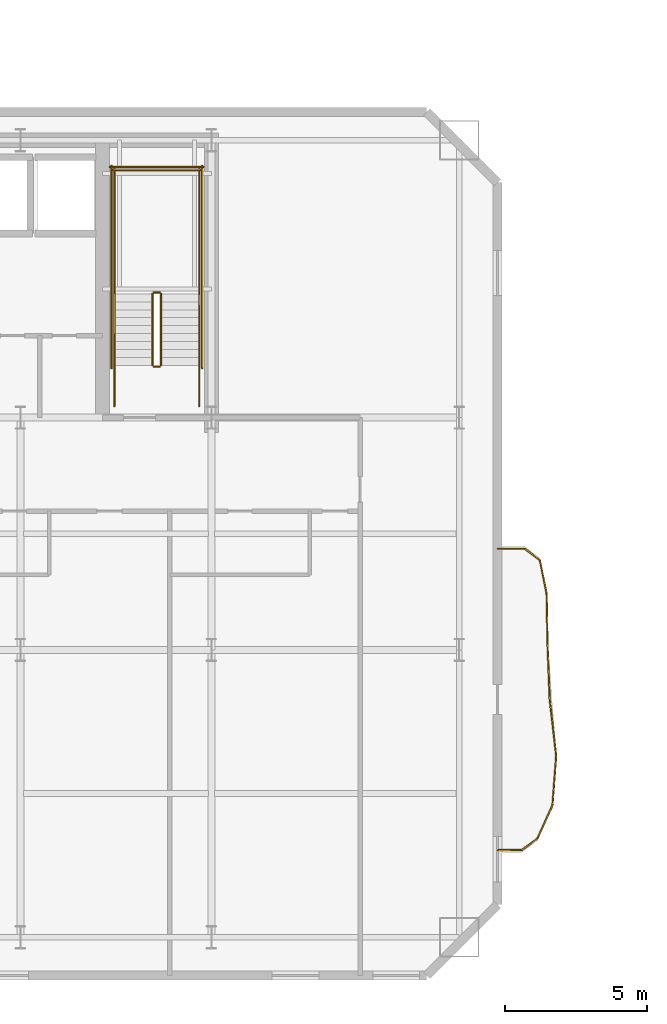
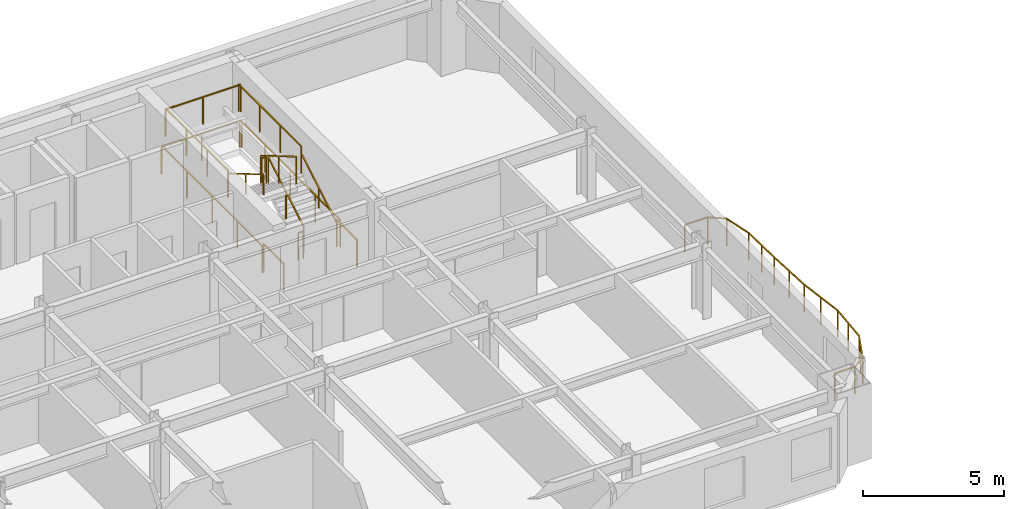
# One storey, part 11 of 13: 24 railings.
"""IFC4 building model written with IfcOpenShell, lengths in metres."""

from ifc_helpers import new_model, si_unit, direction, frame, origin, origin_2d, place, context, subcontext, project, spatial, rectangle, extrude, material, type_object, element, save


model = new_model("IFC4")

# Units and contexts
model_context = context("Model", 3, precision=1e-05, world=origin(), true_north=direction((0.0, 1.0)))
body_context = subcontext(model_context, "Body", "Model", "MODEL_VIEW")
ifc_project = project(units=[si_unit("LENGTHUNIT", "METRE"), si_unit("AREAUNIT", "SQUARE_METRE"), si_unit("VOLUMEUNIT", "CUBIC_METRE"), si_unit("PLANEANGLEUNIT", "RADIAN"), si_unit("MASSUNIT", "GRAM", prefix="KILO")], contexts=[model_context])

# Site, building, storey
site_placement = place(None, origin())
site = spatial("IfcSite", under=ifc_project, at=site_placement, CompositionType="ELEMENT")
building_placement = place(site_placement, origin())
building = spatial("IfcBuilding", under=site, at=building_placement, Name="Haevon Station Towers", CompositionType="ELEMENT")
storey_placement = place(building_placement, frame((0.0, 0.0, 96.60009765625)))
storey = spatial("IfcBuildingStorey", under=building, at=storey_placement, Name="L25", CompositionType="ELEMENT", Elevation=96.60009765625)

# Railings
ifc_material = material(Name="Steel S355", Category="steel")
railing_type_1 = type_object("IfcRailingType", Name="GRD-EXT1200", PredefinedType="GUARDRAIL", material=ifc_material)
railing_1_placement = place(storey_placement, frame((61.12353515625, 22.927734375, 0.0)))
element("IfcRailing", 1, at=railing_1_placement, inside=storey, type_object=railing_type_1, Name="L25 Perimeter Guardrail 1", PredefinedType="GUARDRAIL", context=body_context, shape_type="SweptSolid", body=[
    extrude(rectangle(XDim=0.048095703125, YDim=0.048095703125, at=origin_2d()), frame((0.0, 0.0, 1.17578125), z_axis=(0.999997283225, 0.002330995998, 0.0), x_axis=(-0.002330995998, 0.999997283225, 0.0)), (0.0, 0.0, 1.0), 0.837890625),
    extrude(rectangle(XDim=0.0419921875, YDim=0.0419921875, at=origin_2d()), origin(), (0.0, 0.0, 1.0), 1.15185546875),
    extrude(rectangle(XDim=0.0419921875, YDim=0.0419921875, at=origin_2d()), frame((0.837890625, 0.001953125, 0.0)), (0.0, 0.0, 1.0), 1.15185546875),
])
railing_2_placement = place(storey_placement, frame((61.96142578125, 22.9296875, 0.0)))
element("IfcRailing", 2, at=railing_2_placement, inside=storey, type_object=railing_type_1, Name="L25 Perimeter Guardrail 2", PredefinedType="GUARDRAIL", context=body_context, shape_type="SweptSolid", body=[
    extrude(rectangle(XDim=0.048095703125, YDim=0.048095703125, at=origin_2d()), frame((0.0, 0.0, 1.17578125), z_axis=(0.801952764523, 0.597387448374, 0.0), x_axis=(-0.597387448374, 0.801952764523, 0.0)), (0.0, 0.0, 1.0), 0.688720703125),
    extrude(rectangle(XDim=0.0419921875, YDim=0.0419921875, at=origin_2d()), origin(), (0.0, 0.0, 1.0), 1.15185546875),
    extrude(rectangle(XDim=0.0419921875, YDim=0.0419921875, at=origin_2d()), frame((0.55224609375, 0.411376953125, 0.0)), (0.0, 0.0, 1.0), 1.15185546875),
])
railing_3_placement = place(storey_placement, frame((62.513671875, 23.341064453125, 0.0)))
element("IfcRailing", 3, at=railing_3_placement, inside=storey, type_object=railing_type_1, Name="L25 Perimeter Guardrail 3", PredefinedType="GUARDRAIL", context=body_context, shape_type="SweptSolid", body=[
    extrude(rectangle(XDim=0.048095703125, YDim=0.048095703125, at=origin_2d()), frame((0.0, 0.0, 1.17578125), z_axis=(0.413759985139, 0.910386003131, 0.0), x_axis=(-0.910386003131, 0.413759985139, 0.0)), (0.0, 0.0, 1.0), 1.28466796875),
    extrude(rectangle(XDim=0.0419921875, YDim=0.0419921875, at=origin_2d()), origin(), (0.0, 0.0, 1.0), 1.15185546875),
    extrude(rectangle(XDim=0.0419921875, YDim=0.0419921875, at=origin_2d()), frame((0.265625, 0.584716796875, 0.0)), (0.0, 0.0, 1.0), 1.15185546875),
    extrude(rectangle(XDim=0.0419921875, YDim=0.0419921875, at=origin_2d()), frame((0.531494140625, 1.16943359375, 0.0)), (0.0, 0.0, 1.0), 1.15185546875),
])
railing_4_placement = place(storey_placement, frame((63.045166015625, 24.510498046875, 0.0)))
element("IfcRailing", 4, at=railing_4_placement, inside=storey, type_object=railing_type_1, Name="L25 Perimeter Guardrail 4", PredefinedType="GUARDRAIL", context=body_context, shape_type="SweptSolid", body=[
    extrude(rectangle(XDim=0.048095703125, YDim=0.048095703125, at=origin_2d()), frame((0.0, 0.0, 1.17578125), z_axis=(0.074672193364, 0.997208134513, 0.0), x_axis=(-0.997208134513, 0.074672193364, 0.0)), (0.0, 0.0, 1.0), 1.75244140625),
    extrude(rectangle(XDim=0.0419921875, YDim=0.0419921875, at=origin_2d()), origin(), (0.0, 0.0, 1.0), 1.15185546875),
    extrude(rectangle(XDim=0.0419921875, YDim=0.0419921875, at=origin_2d()), frame((0.0654296875, 0.873779296875, 0.0)), (0.0, 0.0, 1.0), 1.15185546875),
    extrude(rectangle(XDim=0.0419921875, YDim=0.0419921875, at=origin_2d()), frame((0.130859375, 1.74755859375, 0.0)), (0.0, 0.0, 1.0), 1.15185546875),
])
railing_5_placement = place(storey_placement, frame((63.176025390625, 26.258056640625, 0.0)))
element("IfcRailing", 5, at=railing_5_placement, inside=storey, type_object=railing_type_1, Name="L25 Perimeter Guardrail 5", PredefinedType="GUARDRAIL", context=body_context, shape_type="SweptSolid", body=[
    extrude(rectangle(XDim=0.048095703125, YDim=0.048095703125, at=origin_2d()), frame((0.0, 0.0, 1.17578125), z_axis=(-0.114933725314, 0.993373161901, 0.0), x_axis=(-0.993373161901, -0.114933725314, 0.0)), (0.0, 0.0, 1.0), 2.005126953125),
    extrude(rectangle(XDim=0.0419921875, YDim=0.0419921875, at=origin_2d()), origin(), (0.0, 0.0, 1.0), 1.15185546875),
    extrude(rectangle(XDim=0.0419921875, YDim=0.0419921875, at=origin_2d()), frame((-0.115234375, 0.99609375, 0.0)), (0.0, 0.0, 1.0), 1.15185546875),
    extrude(rectangle(XDim=0.0419921875, YDim=0.0419921875, at=origin_2d()), frame((-0.23046875, 1.991943359375, 0.0)), (0.0, 0.0, 1.0), 1.15185546875),
])
railing_6_placement = place(storey_placement, frame((62.945556640625, 28.25, 0.0)))
element("IfcRailing", 6, at=railing_6_placement, inside=storey, type_object=railing_type_1, Name="L25 Perimeter Guardrail 6", PredefinedType="GUARDRAIL", context=body_context, shape_type="SweptSolid", body=[
    extrude(rectangle(XDim=0.048095703125, YDim=0.048095703125, at=origin_2d()), frame((0.0, 0.0, 1.17578125), z_axis=(-0.038150453475, 0.999272006463, 0.0), x_axis=(-0.999272006463, -0.038150453475, 0.0)), (0.0, 0.0, 1.0), 1.990234375),
    extrude(rectangle(XDim=0.0419921875, YDim=0.0419921875, at=origin_2d()), origin(), (0.0, 0.0, 1.0), 1.15185546875),
    extrude(rectangle(XDim=0.0419921875, YDim=0.0419921875, at=origin_2d()), frame((-0.0380859375, 0.994384765625, 0.0)), (0.0, 0.0, 1.0), 1.15185546875),
    extrude(rectangle(XDim=0.0419921875, YDim=0.0419921875, at=origin_2d()), frame((-0.075927734375, 1.98876953125, 0.0)), (0.0, 0.0, 1.0), 1.15185546875),
])
railing_7_placement = place(storey_placement, frame((62.86962890625, 30.23876953125, 0.0)))
element("IfcRailing", 7, at=railing_7_placement, inside=storey, type_object=railing_type_1, Name="L25 Perimeter Guardrail 7", PredefinedType="GUARDRAIL", context=body_context, shape_type="SweptSolid", body=[
    extrude(rectangle(XDim=0.048095703125, YDim=0.048095703125, at=origin_2d()), frame((0.0, 0.0, 1.17578125), z_axis=(-0.017572959065, 0.999845583633, 0.0), x_axis=(-0.999845583633, -0.017572959065, 0.0)), (0.0, 0.0, 1.0), 1.75048828125),
    extrude(rectangle(XDim=0.0419921875, YDim=0.0419921875, at=origin_2d()), origin(), (0.0, 0.0, 1.0), 1.15185546875),
    extrude(rectangle(XDim=0.0419921875, YDim=0.0419921875, at=origin_2d()), frame((-0.015380859375, 0.875, 0.0)), (0.0, 0.0, 1.0), 1.15185546875),
    extrude(rectangle(XDim=0.0419921875, YDim=0.0419921875, at=origin_2d()), frame((-0.03076171875, 1.750244140625, 0.0)), (0.0, 0.0, 1.0), 1.15185546875),
])
railing_8_placement = place(storey_placement, frame((62.8388671875, 31.989013671875, 0.0)))
element("IfcRailing", 8, at=railing_8_placement, inside=storey, type_object=railing_type_1, Name="L25 Perimeter Guardrail 8", PredefinedType="GUARDRAIL", context=body_context, shape_type="SweptSolid", body=[
    extrude(rectangle(XDim=0.048095703125, YDim=0.048095703125, at=origin_2d()), frame((0.0, 0.0, 1.17578125), z_axis=(-0.199771721582, 0.979842466551, 0.0), x_axis=(-0.979842466551, -0.199771721582, 0.0)), (0.0, 0.0, 1.0), 1.194091796875),
    extrude(rectangle(XDim=0.0419921875, YDim=0.0419921875, at=origin_2d()), origin(), (0.0, 0.0, 1.0), 1.15185546875),
    extrude(rectangle(XDim=0.0419921875, YDim=0.0419921875, at=origin_2d()), frame((-0.238525390625, 1.169921875, 0.0)), (0.0, 0.0, 1.0), 1.15185546875),
])
railing_9_placement = place(storey_placement, frame((62.600341796875, 33.158935546875, 0.0)))
element("IfcRailing", 9, at=railing_9_placement, inside=storey, type_object=railing_type_1, Name="L25 Perimeter Guardrail 9", PredefinedType="GUARDRAIL", context=body_context, shape_type="SweptSolid", body=[
    extrude(rectangle(XDim=0.048095703125, YDim=0.048095703125, at=origin_2d()), frame((0.0, 0.0, 1.17578125), z_axis=(-0.79178726734, 0.61079695749, 0.0), x_axis=(-0.61079695749, -0.79178726734, 0.0)), (0.0, 0.0, 1.0), 0.673095703125),
    extrude(rectangle(XDim=0.0419921875, YDim=0.0419921875, at=origin_2d()), origin(), (0.0, 0.0, 1.0), 1.15185546875),
    extrude(rectangle(XDim=0.0419921875, YDim=0.0419921875, at=origin_2d()), frame((-0.532958984375, 0.4111328125, 0.0)), (0.0, 0.0, 1.0), 1.15185546875),
])
railing_10_placement = place(storey_placement, frame((62.0673828125, 33.570068359375, 0.0)))
element("IfcRailing", 10, at=railing_10_placement, inside=storey, type_object=railing_type_1, Name="L25 Perimeter Guardrail 10", PredefinedType="GUARDRAIL", context=body_context, shape_type="SweptSolid", body=[
    extrude(rectangle(XDim=0.048095703125, YDim=0.048095703125, at=origin_2d()), frame((0.0, 0.0, 1.17578125), z_axis=(-0.999997290248, 0.002327981276, 0.0), x_axis=(-0.002327981276, -0.999997290248, 0.0)), (0.0, 0.0, 1.0), 0.94384765625),
    extrude(rectangle(XDim=0.0419921875, YDim=0.0419921875, at=origin_2d()), origin(), (0.0, 0.0, 1.0), 1.15185546875),
    extrude(rectangle(XDim=0.0419921875, YDim=0.0419921875, at=origin_2d()), frame((-0.94384765625, 0.002197265625, 0.0)), (0.0, 0.0, 1.0), 1.15185546875),
])
railing_type_2 = type_object("IfcRailingType", Name="GRD-STR1200", PredefinedType="GUARDRAIL", material=ifc_material)
railing_11_placement = place(storey_placement, frame((49.219970703125, 40.050048828125, 0.164794921875)))
element("IfcRailing", 11, at=railing_11_placement, inside=storey, type_object=railing_type_2, Name="L25 ST2 Stair Guard 1", PredefinedType="GUARDRAIL", context=body_context, shape_type="SweptSolid", body=[
    extrude(rectangle(XDim=0.048095703125, YDim=0.048095703125, at=origin_2d()), frame((0.0, 0.0, 1.17578125), z_axis=(0.0, 0.86152411907, 0.507716645641), x_axis=(-1.0, 0.0, 0.0)), (0.0, 0.0, 1.0), 2.925048828125),
    extrude(rectangle(XDim=0.0419921875, YDim=0.0419921875, at=origin_2d()), origin(), (0.0, 0.0, 1.0), 1.15185546875),
    extrude(rectangle(XDim=0.0419921875, YDim=0.0419921875, at=origin_2d()), frame((0.0, 1.260009765625, 0.74267578125)), (0.0, 0.0, 1.0), 1.15185546875),
    extrude(rectangle(XDim=0.0419921875, YDim=0.0419921875, at=origin_2d()), frame((0.0, 2.52001953125, 1.485107421875)), (0.0, 0.0, 1.0), 1.15185546875),
])
railing_12_placement = place(storey_placement, frame((49.169921875, 42.6201171875, 1.64990234375)))
element("IfcRailing", 12, at=railing_12_placement, inside=storey, type_object=railing_type_2, Name="L25 ST2 Stair Guard 2", PredefinedType="GUARDRAIL", context=body_context, shape_type="SweptSolid", body=[
    extrude(rectangle(XDim=0.048095703125, YDim=0.048095703125, at=origin_2d()), frame((0.0, 0.0, 1.17578125), z_axis=(-1.0, 0.0, 0.0), x_axis=(0.0, -1.0, 0.0)), (0.0, 0.0, 1.0), 0.199951171875),
    extrude(rectangle(XDim=0.0419921875, YDim=0.0419921875, at=origin_2d()), origin(), (0.0, 0.0, 1.0), 1.15185546875),
    extrude(rectangle(XDim=0.0419921875, YDim=0.0419921875, at=origin_2d()), frame((-0.199951171875, 0.0, 0.0)), (0.0, 0.0, 1.0), 1.15185546875),
])
for number, where, name in (
    (13, (50.570068359375, 42.570068359375, 1.64990234375), "L25 ST2 Stair Guard 3"),
    (14, (47.570068359375, 42.570068359375, 1.64990234375), "L25 ST2 Stair Guard 4"),
):
    element("IfcRailing", number, at=place(storey_placement, frame(where)), inside=storey, type_object=railing_type_2, Name=name, PredefinedType="GUARDRAIL", context=body_context, shape_type="SweptSolid", body=[
        extrude(rectangle(XDim=0.048095703125, YDim=0.048095703125, at=origin_2d()), frame((0.0, 0.0, 1.17578125), z_axis=(0.0, 1.0, 0.0), x_axis=(-1.0, 0.0, 0.0)), (0.0, 0.0, 1.0), 4.429931640625),
        extrude(rectangle(XDim=0.0419921875, YDim=0.0419921875, at=origin_2d()), origin(), (0.0, 0.0, 1.0), 1.15185546875),
        extrude(rectangle(XDim=0.0419921875, YDim=0.0419921875, at=origin_2d()), frame((0.0, 1.4765625, 0.0)), (0.0, 0.0, 1.0), 1.15185546875),
        extrude(rectangle(XDim=0.0419921875, YDim=0.0419921875, at=origin_2d()), frame((0.0, 2.953369140625, 0.0)), (0.0, 0.0, 1.0), 1.15185546875),
        extrude(rectangle(XDim=0.0419921875, YDim=0.0419921875, at=origin_2d()), frame((0.0, 4.429931640625, 0.0)), (0.0, 0.0, 1.0), 1.15185546875),
    ])
railing_13_placement = place(storey_placement, frame((50.6201171875, 46.949951171875, 1.64990234375)))
element("IfcRailing", 15, at=railing_13_placement, inside=storey, type_object=railing_type_2, Name="L25 ST2 Stair Guard 5", PredefinedType="GUARDRAIL", context=body_context, shape_type="SweptSolid", body=[
    extrude(rectangle(XDim=0.048095703125, YDim=0.048095703125, at=origin_2d()), frame((0.0, 0.0, 1.17578125), z_axis=(-1.0, 0.0, 0.0), x_axis=(0.0, -1.0, 0.0)), (0.0, 0.0, 1.0), 3.10009765625),
    extrude(rectangle(XDim=0.0419921875, YDim=0.0419921875, at=origin_2d()), origin(), (0.0, 0.0, 1.0), 1.15185546875),
    extrude(rectangle(XDim=0.0419921875, YDim=0.0419921875, at=origin_2d()), frame((-1.550048828125, 0.0, 0.0)), (0.0, 0.0, 1.0), 1.15185546875),
    extrude(rectangle(XDim=0.0419921875, YDim=0.0419921875, at=origin_2d()), frame((-3.10009765625, 0.0, 0.0)), (0.0, 0.0, 1.0), 1.15185546875),
])
railing_14_placement = place(storey_placement, frame((48.919921875, 42.570068359375, 1.81494140625)))
element("IfcRailing", 16, at=railing_14_placement, inside=storey, type_object=railing_type_2, Name="L25 ST2 Stair Guard 6", PredefinedType="GUARDRAIL", context=body_context, shape_type="SweptSolid", body=[
    extrude(rectangle(XDim=0.048095703125, YDim=0.048095703125, at=origin_2d()), frame((0.0, 0.0, 1.17578125), z_axis=(0.0, -0.861560626758, 0.507654692109), x_axis=(1.0, 0.0, 0.0)), (0.0, 0.0, 1.0), 2.925048828125),
    extrude(rectangle(XDim=0.0419921875, YDim=0.0419921875, at=origin_2d()), origin(), (0.0, 0.0, 1.0), 1.15185546875),
    extrude(rectangle(XDim=0.0419921875, YDim=0.0419921875, at=origin_2d()), frame((0.0, -1.260009765625, 0.742431640625)), (0.0, 0.0, 1.0), 1.15185546875),
    extrude(rectangle(XDim=0.0419921875, YDim=0.0419921875, at=origin_2d()), frame((0.0, -2.52001953125, 1.48486328125)), (0.0, 0.0, 1.0), 1.15185546875),
])
railing_15_placement = place(storey_placement, frame((49.169921875, 40.0, 0.0)))
element("IfcRailing", 17, at=railing_15_placement, inside=storey, type_object=railing_type_2, Name="L25 ST2 Stair Guard 7", PredefinedType="GUARDRAIL", context=body_context, shape_type="SweptSolid", body=[
    extrude(rectangle(XDim=0.048095703125, YDim=0.048095703125, at=origin_2d()), frame((0.0, 0.0, 1.17578125), z_axis=(-1.0, 0.0, 0.0), x_axis=(0.0, -1.0, 0.0)), (0.0, 0.0, 1.0), 0.199951171875),
    extrude(rectangle(XDim=0.0419921875, YDim=0.0419921875, at=origin_2d()), origin(), (0.0, 0.0, 1.0), 1.15185546875),
    extrude(rectangle(XDim=0.0419921875, YDim=0.0419921875, at=origin_2d()), frame((-0.199951171875, 0.0, 0.0)), (0.0, 0.0, 1.0), 1.15185546875),
])
for number, where, name in (
    (18, (50.570068359375, 38.60009765625, 0.0), "L25 ST2 Stair Guard 8"),
    (19, (47.570068359375, 38.60009765625, 0.0), "L25 ST2 Stair Guard 9"),
):
    element("IfcRailing", number, at=place(storey_placement, frame(where)), inside=storey, type_object=railing_type_2, Name=name, PredefinedType="GUARDRAIL", context=body_context, shape_type="SweptSolid", body=[
        extrude(rectangle(XDim=0.048095703125, YDim=0.048095703125, at=origin_2d()), frame((0.0, 0.0, 1.17578125), z_axis=(0.0, 1.0, 0.0), x_axis=(-1.0, 0.0, 0.0)), (0.0, 0.0, 1.0), 1.449951171875),
        extrude(rectangle(XDim=0.0419921875, YDim=0.0419921875, at=origin_2d()), origin(), (0.0, 0.0, 1.0), 1.15185546875),
        extrude(rectangle(XDim=0.0419921875, YDim=0.0419921875, at=origin_2d()), frame((0.0, 1.449951171875, 0.0)), (0.0, 0.0, 1.0), 1.15185546875),
    ])
for number, where, name in (
    (20, (50.669921875, 39.949951171875, 0.0), "L25 ST2 Stair Guard 10"),
    (21, (47.469970703125, 39.949951171875, 0.0), "L25 ST2 Stair Guard 11"),
):
    element("IfcRailing", number, at=place(storey_placement, frame(where)), inside=storey, type_object=railing_type_2, Name=name, PredefinedType="GUARDRAIL", context=body_context, shape_type="SweptSolid", body=[
        extrude(rectangle(XDim=0.048095703125, YDim=0.048095703125, at=origin_2d()), frame((0.0, 0.0, 1.17578125), z_axis=(0.0, 1.0, 0.0), x_axis=(-1.0, 0.0, 0.0)), (0.0, 0.0, 1.0), 7.150146484375),
        extrude(rectangle(XDim=0.0419921875, YDim=0.0419921875, at=origin_2d()), origin(), (0.0, 0.0, 1.0), 1.15185546875),
        extrude(rectangle(XDim=0.0419921875, YDim=0.0419921875, at=origin_2d()), frame((0.0, 1.78759765625, 0.0)), (0.0, 0.0, 1.0), 1.15185546875),
        extrude(rectangle(XDim=0.0419921875, YDim=0.0419921875, at=origin_2d()), frame((0.0, 3.5751953125, 0.0)), (0.0, 0.0, 1.0), 1.15185546875),
        extrude(rectangle(XDim=0.0419921875, YDim=0.0419921875, at=origin_2d()), frame((0.0, 5.362548828125, 0.0)), (0.0, 0.0, 1.0), 1.15185546875),
        extrude(rectangle(XDim=0.0419921875, YDim=0.0419921875, at=origin_2d()), frame((0.0, 7.150146484375, 0.0)), (0.0, 0.0, 1.0), 1.15185546875),
    ])
railing_16_placement = place(storey_placement, frame((50.719970703125, 47.050048828125, 0.0)))
element("IfcRailing", 22, at=railing_16_placement, inside=storey, type_object=railing_type_2, Name="L25 ST2 Stair Guard 12", PredefinedType="GUARDRAIL", context=body_context, shape_type="SweptSolid", body=[
    extrude(rectangle(XDim=0.048095703125, YDim=0.048095703125, at=origin_2d()), frame((0.0, 0.0, 1.17578125), z_axis=(-1.0, 0.0, 0.0), x_axis=(0.0, -1.0, 0.0)), (0.0, 0.0, 1.0), 3.300048828125),
    extrude(rectangle(XDim=0.0419921875, YDim=0.0419921875, at=origin_2d()), origin(), (0.0, 0.0, 1.0), 1.15185546875),
    extrude(rectangle(XDim=0.0419921875, YDim=0.0419921875, at=origin_2d()), frame((-1.64990234375, 0.0, 0.0)), (0.0, 0.0, 1.0), 1.15185546875),
    extrude(rectangle(XDim=0.0419921875, YDim=0.0419921875, at=origin_2d()), frame((-3.300048828125, 0.0, 0.0)), (0.0, 0.0, 1.0), 1.15185546875),
])
railing_type_3 = type_object("IfcRailingType", Name="HND-STR900", PredefinedType="HANDRAIL", material=ifc_material)
railing_17_placement = place(storey_placement, frame((50.570068359375, 40.050048828125, 0.164794921875)))
element("IfcRailing", 23, at=railing_17_placement, inside=storey, type_object=railing_type_3, Name="L25 ST2 Stair Handrail 1", PredefinedType="HANDRAIL", context=body_context, shape_type="SweptSolid", body=[
    extrude(rectangle(XDim=0.048095703125, YDim=0.048095703125, at=origin_2d()), frame((0.0, 0.0, 0.8759765625), z_axis=(0.0, 0.86152411907, 0.507716645641), x_axis=(-1.0, 0.0, 0.0)), (0.0, 0.0, 1.0), 2.925048828125),
    extrude(rectangle(XDim=0.0419921875, YDim=0.0419921875, at=origin_2d()), origin(), (0.0, 0.0, 1.0), 0.851806640625),
    extrude(rectangle(XDim=0.0419921875, YDim=0.0419921875, at=origin_2d()), frame((0.0, 1.260009765625, 0.74267578125)), (0.0, 0.0, 1.0), 0.851806640625),
    extrude(rectangle(XDim=0.0419921875, YDim=0.0419921875, at=origin_2d()), frame((0.0, 2.52001953125, 1.485107421875)), (0.0, 0.0, 1.0), 0.851806640625),
])
railing_18_placement = place(storey_placement, frame((47.570068359375, 42.570068359375, 1.81494140625)))
element("IfcRailing", 24, at=railing_18_placement, inside=storey, type_object=railing_type_3, Name="L25 ST2 Stair Handrail 2", PredefinedType="HANDRAIL", context=body_context, shape_type="SweptSolid", body=[
    extrude(rectangle(XDim=0.048095703125, YDim=0.048095703125, at=origin_2d()), frame((0.0, 0.0, 0.8759765625), z_axis=(0.0, -0.861560626758, 0.507654692109), x_axis=(1.0, 0.0, 0.0)), (0.0, 0.0, 1.0), 2.925048828125),
    extrude(rectangle(XDim=0.0419921875, YDim=0.0419921875, at=origin_2d()), origin(), (0.0, 0.0, 1.0), 0.851806640625),
    extrude(rectangle(XDim=0.0419921875, YDim=0.0419921875, at=origin_2d()), frame((0.0, -1.260009765625, 0.742431640625)), (0.0, 0.0, 1.0), 0.851806640625),
    extrude(rectangle(XDim=0.0419921875, YDim=0.0419921875, at=origin_2d()), frame((0.0, -2.52001953125, 1.48486328125)), (0.0, 0.0, 1.0), 0.851806640625),
])

save(model, "model.ifc")
